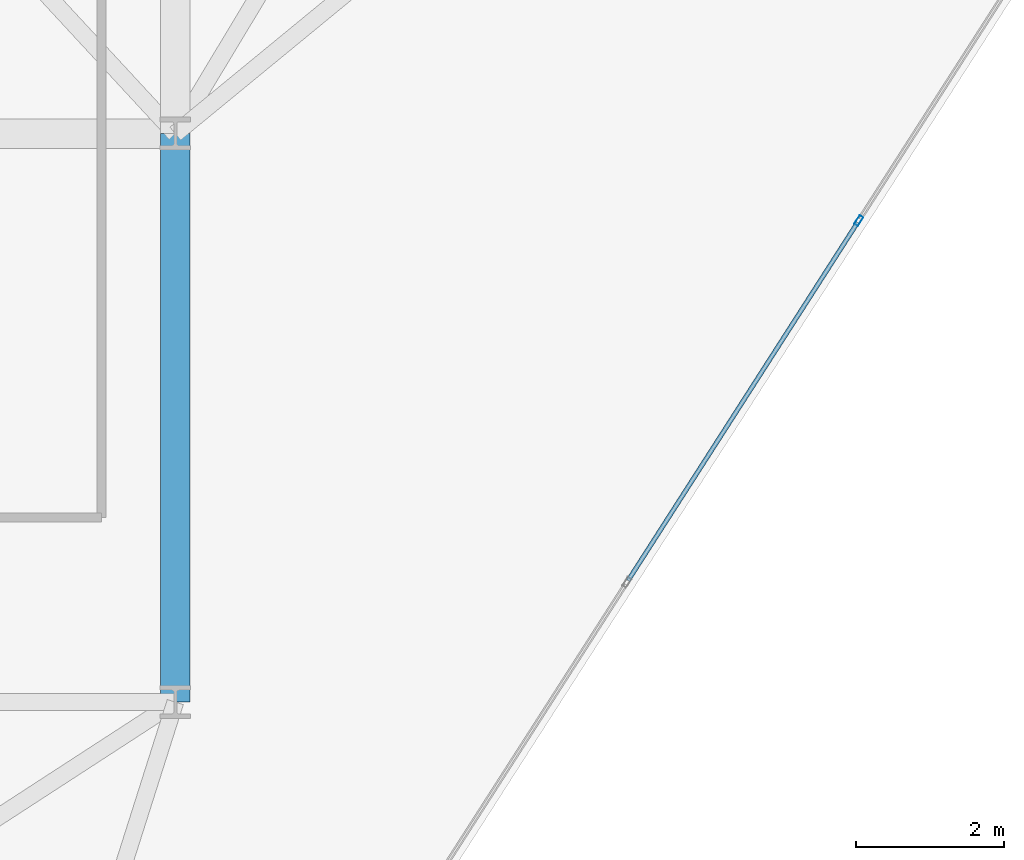
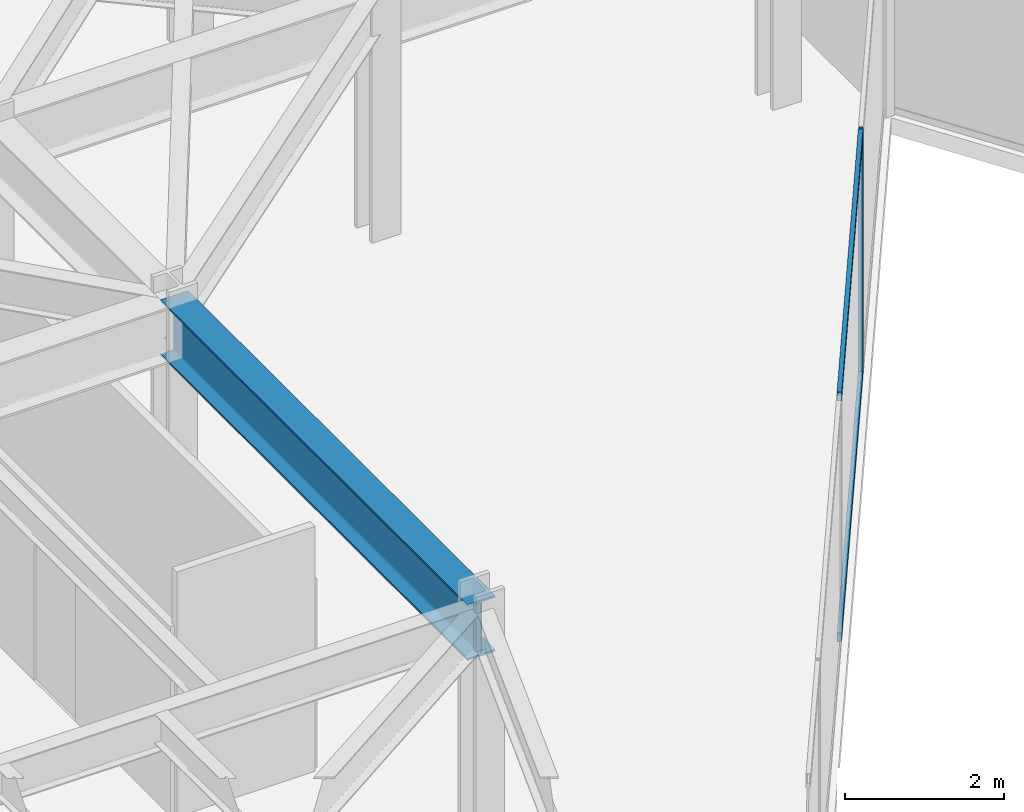
# One storey, part 8 of 26: 3 members, 1 beam, 1 element without a shape of its own.
"""IFC4 building model written with IfcOpenShell, lengths in metres."""

from ifc_helpers import new_model, si_unit, direction, frame, origin, origin_2d, place, context, subcontext, project, spatial, hollow_rectangle, i_section, extrude, material, layer, layer_set, material_profile, profile_set, type_object, element, aggregate, save


model = new_model("IFC4")

# Units and contexts
model_context = context("Model", 3, precision=1e-05, world=origin(), true_north=direction((0.0, 1.0)))
body_context = subcontext(model_context, "Body", "Model", "MODEL_VIEW")
ifc_project = project(units=[si_unit("LENGTHUNIT", "METRE"), si_unit("AREAUNIT", "SQUARE_METRE"), si_unit("VOLUMEUNIT", "CUBIC_METRE"), si_unit("PLANEANGLEUNIT", "RADIAN"), si_unit("MASSUNIT", "GRAM", prefix="KILO")], contexts=[model_context])

# Site, building, storey
site_placement = place(None, origin())
site = spatial("IfcSite", under=ifc_project, at=site_placement, CompositionType="ELEMENT")
building_placement = place(site_placement, origin())
building = spatial("IfcBuilding", under=site, at=building_placement, Name="Kravanh Interchange Tower", CompositionType="ELEMENT")
storey_placement = place(building_placement, frame((0.0, 0.0, 140.0)))
storey = spatial("IfcBuildingStorey", under=building, at=storey_placement, Name="L33", CompositionType="ELEMENT", Elevation=140.0)

# Curtain wall, members
ifc_material_1 = material(Name="Anodised Bronze Aluminium", Category="aluminium")
ifc_layer = layer(ifc_material_1, 0.179931640625)
ifc_layer_set = layer_set([ifc_layer], Name="Unitised Curtain Wall System CW-Z2 Mid Office")
curtain_wall_type = type_object("IfcCurtainWallType", Name="Unitised Curtain Wall System CW-Z2 Mid Office", PredefinedType="NOTDEFINED", material=ifc_layer_set)
curtain_wall_placement = place(storey_placement, origin())
curtain_wall = element("IfcCurtainWall", 1, at=curtain_wall_placement, inside=storey, type_object=curtain_wall_type, Name="L33 Unitised Curtain Wall CW-L33-05", PredefinedType="NOTDEFINED")
ifc_material_2 = material(Name="Anodised Bronze Aluminium", Category="aluminium")
ifc_material_profile_1 = material_profile(ifc_material_2, hollow_rectangle(XDim=0.06005859375, YDim=0.139892578125, WallThickness=0.00390625, at=origin_2d()), Name="ALU60X140X4")
ifc_profile_set_1 = profile_set([ifc_material_profile_1], Name="Anodised Bronze Aluminium")
member_type_1 = type_object("IfcMemberType", Name="Curtain Wall Mullion ALU60X140X4 Bronze", PredefinedType="MULLION", material=ifc_profile_set_1)
member_1_placement = place(storey_placement, frame((36.45849609375, 21.021728515625, 0.0), z_axis=(0.0, 0.0, 1.0), x_axis=(0.841879939476, -0.539664865919, 0.0)))
member_1 = element("IfcMember", 2, at=member_1_placement, type_object=member_type_1, Name="CW-Z2 mullion 2", PredefinedType="MULLION", context=body_context, shape_type="SweptSolid", body=[
    extrude(hollow_rectangle(XDim=0.06005859375, YDim=0.139892578125, WallThickness=0.00390625, at=origin_2d()), origin(), (0.0, 0.0, 1.0), 3.75),
])
ifc_material_3 = material(Name="Anodised Bronze Aluminium", Category="aluminium")
ifc_material_profile_2 = material_profile(ifc_material_3, hollow_rectangle(XDim=0.06005859375, YDim=0.139892578125, WallThickness=0.00390625, at=origin_2d()), Name="ALU60X140X4")
ifc_profile_set_2 = profile_set([ifc_material_profile_2], Name="Anodised Bronze Aluminium")
member_type_2 = type_object("IfcMemberType", Name="Curtain Wall Transom ALU60X140X4 Bronze", PredefinedType="USERDEFINED", material=ifc_profile_set_2)
member_2_placement = place(storey_placement, frame((36.4423828125, 20.99658203125, 0.030029296875), z_axis=(-0.539647630778, -0.841890987359, 0.0), x_axis=(0.841890987359, -0.539647630778, 0.0)))
member_2 = element("IfcMember", 3, at=member_2_placement, type_object=member_type_2, Name="CW-Z2 transom 2.1", ObjectType="TRANSOM", PredefinedType="USERDEFINED", context=body_context, shape_type="SweptSolid", body=[
    extrude(hollow_rectangle(XDim=0.06005859375, YDim=0.139892578125, WallThickness=0.00390625, at=origin_2d()), origin(), (0.0, 0.0, 1.0), 5.760986328125),
])
member_3_placement = place(storey_placement, frame((36.4423828125, 20.99658203125, 3.719970703125), z_axis=(-0.539647630778, -0.841890987359, 0.0), x_axis=(0.841890987359, -0.539647630778, 0.0)))
member_3 = element("IfcMember", 4, at=member_3_placement, type_object=member_type_2, Name="CW-Z2 transom 2.2", ObjectType="TRANSOM", PredefinedType="USERDEFINED", context=body_context, shape_type="SweptSolid", body=[
    extrude(hollow_rectangle(XDim=0.06005859375, YDim=0.139892578125, WallThickness=0.00390625, at=origin_2d()), origin(), (0.0, 0.0, 1.0), 5.760986328125),
])
aggregate(curtain_wall, [member_1, member_2, member_3])

# Beam
ifc_material_4 = material(Name="Structural Steel S355", Category="steel")
ifc_material_profile_3 = material_profile(ifc_material_4, i_section(OverallWidth=0.39990234375, OverallDepth=0.85595703125, WebThickness=0.018310546875, FlangeThickness=0.029296875, FilletRadius=0.02490234375, at=origin_2d()), Name="W33X201")
ifc_profile_set_3 = profile_set([ifc_material_profile_3], Name="Structural Steel S355")
beam_type = type_object("IfcBeamType", Name="Floor Beam W33X201 Structural Steel S355", PredefinedType="BEAM", material=ifc_profile_set_3)
beam_placement = place(storey_placement, frame((27.199951171875, 14.5, 3.322021484375), z_axis=(0.0, 1.0, 0.0), x_axis=(-1.0, 0.0, 0.0)))
element("IfcBeam", 5, at=beam_placement, inside=storey, type_object=beam_type, Name="L33 Primary Floor Girder 102", PredefinedType="BEAM", context=body_context, shape_type="SweptSolid", body=[
    extrude(i_section(OverallWidth=0.39990234375, OverallDepth=0.85595703125, WebThickness=0.018310546875, FlangeThickness=0.029296875, FilletRadius=0.02490234375, at=origin_2d()), origin(), (0.0, 0.0, 1.0), 7.699951171875),
])

save(model, "model.ifc")
